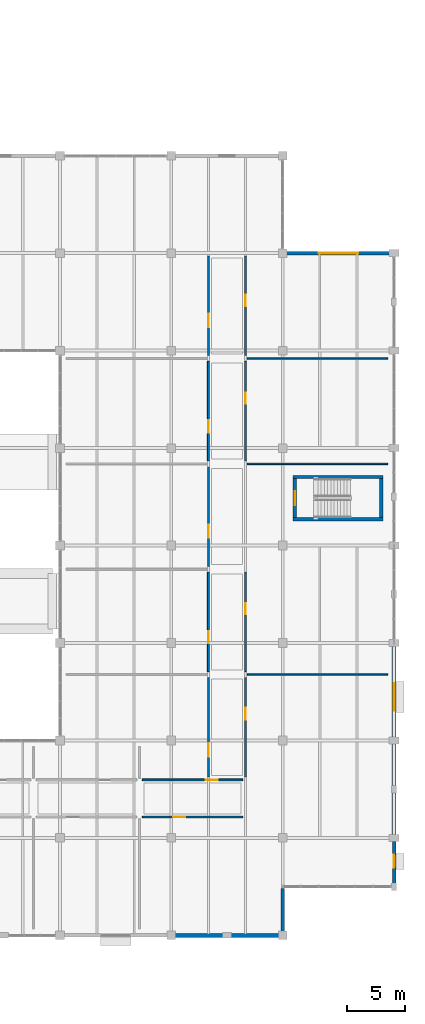
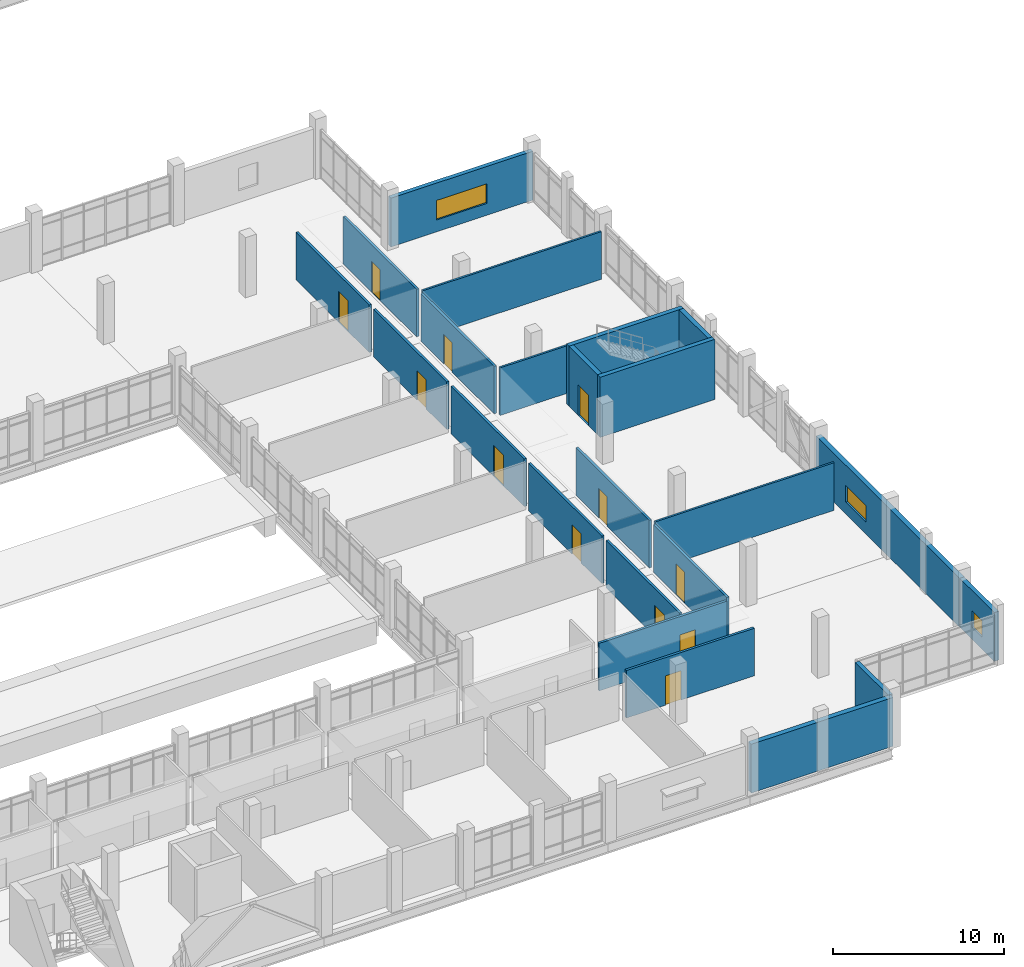
# One storey, part 62 of 86: 23 walls, 12 doors, 3 windows, 15 openings.
"""IFC4 building model written with IfcOpenShell, lengths in metres."""

from ifc_helpers import new_model, si_unit, direction, frame, frame_2d, origin, place, context, subcontext, project, spatial, rectangle, extrude, material, layer, layer_set, type_object, element, fill, save


model = new_model("IFC4")

# Units and contexts
model_context = context("Model", 3, precision=1e-05, world=origin(), true_north=direction((0.0, 1.0)))
body_context = subcontext(model_context, "Body", "Model", "MODEL_VIEW")
ifc_project = project(units=[si_unit("LENGTHUNIT", "METRE"), si_unit("AREAUNIT", "SQUARE_METRE"), si_unit("VOLUMEUNIT", "CUBIC_METRE"), si_unit("PLANEANGLEUNIT", "RADIAN"), si_unit("MASSUNIT", "GRAM", prefix="KILO")], contexts=[model_context])

# Site, building, storey
site_placement = place(None, origin())
site = spatial("IfcSite", under=ifc_project, at=site_placement, CompositionType="ELEMENT")
building_placement = place(site_placement, origin())
building = spatial("IfcBuilding", under=site, at=building_placement, Name="Oolite Switchyard Hospital", CompositionType="ELEMENT")
storey_placement = place(building_placement, frame((0.0, 0.0, 13.5)))
storey = spatial("IfcBuildingStorey", under=building, at=storey_placement, Name="L03", CompositionType="ELEMENT", Elevation=13.5)

# Wall, opening, window
ifc_material_1 = material(Name="Precast oolitic limestone architectural concrete C40/50", Category="masonry")
ifc_layer_1 = layer(ifc_material_1, 0.280029296875)
ifc_layer_set_1 = layer_set([ifc_layer_1], Name="WAL-EXT-280")
wall_type_1 = type_object("IfcWallType", Name="WAL-EXT-280", PredefinedType="SOLIDWALL", material=ifc_layer_set_1)
wall_1_placement = place(storey_placement, frame((201.60009765625, 67.199951171875, 0.0), z_axis=(0.0, 0.0, 1.0), x_axis=(1.0, 0.0, 0.0)))
wall_1 = element("IfcWall", 1, at=wall_1_placement, inside=storey, type_object=wall_type_1, Name="L03 Exterior Spandrel Wall 180", PredefinedType="SOLIDWALL", context=body_context, shape_type="SweptSolid", body=[
    extrude(rectangle(XDim=9.599853515625, YDim=0.280029296875, at=frame_2d((4.7998046875, 0.0))), origin(), (0.0, 0.0, 1.0), 3.489990234375),
])
opening_1_placement = place(wall_1_placement, frame((3.10009765625, 0.0, 0.85009765625)))
opening_1 = element("IfcOpeningElement", 2, at=opening_1_placement, cuts=wall_1, Name="Opening WN-0072", PredefinedType="OPENING", context=body_context, shape_type="SweptSolid", body=[
    extrude(rectangle(XDim=3.39990234375, YDim=1.39990234375, at=frame_2d((1.699951171875, 0.699951171875))), frame((0.0, 0.14990234375, 0.0), z_axis=(0.0, -1.0, 0.0), x_axis=(1.0, 0.0, 0.0)), (0.0, 0.0, 1.0), 0.300048828125),
])
ifc_material_2 = material(Name="Thermally broken aluminum frame with laminated impact glazing", Category="aluminium")
window_type_1 = type_object("IfcWindowType", Name="WIN-IMP-340X140", PartitioningType="SINGLE_PANEL", PredefinedType="WINDOW", material=ifc_material_2)
window_1_placement = place(opening_1_placement, origin())
window_1 = element("IfcWindow", 3, at=window_1_placement, inside=storey, type_object=window_type_1, Name="L03 Hurricane Impact Window WN-0072", OverallHeight=1.39990234375, OverallWidth=3.39990234375, PartitioningType="SINGLE_PANEL", PredefinedType="WINDOW", context=body_context, shape_type="SweptSolid", body=[
    extrude(rectangle(XDim=3.39990234375, YDim=1.39990234375, at=frame_2d((1.699951171875, 0.699951171875))), frame((0.0, 0.030029296875, 0.0), z_axis=(0.0, -1.0, 0.0), x_axis=(1.0, 0.0, 0.0)), (0.0, 0.0, 1.0), 0.06005859375),
])
fill(opening_1, window_1)

# Wall
wall_2_placement = place(storey_placement, frame((201.60009765625, 12.43994140625, 0.0), z_axis=(0.0, 0.0, 1.0), x_axis=(0.0, -1.0, 0.0)))
element("IfcWall", 4, at=wall_2_placement, inside=storey, type_object=wall_type_1, Name="L03 Exterior Spandrel Wall 243", PredefinedType="SOLIDWALL", context=body_context, shape_type="SweptSolid", body=[
    extrude(rectangle(XDim=3.8798828125, YDim=0.280029296875, at=frame_2d((1.93994140625, 0.0))), origin(), (0.0, 0.0, 1.0), 3.489990234375),
])

# Wall, opening, window
ifc_layer_2 = layer(ifc_material_1, 0.300048828125)
ifc_layer_set_2 = layer_set([ifc_layer_2], Name="WAL-EXT-300")
wall_type_2 = type_object("IfcWallType", Name="WAL-EXT-300", PredefinedType="SOLIDWALL", material=ifc_layer_set_2)
wall_3_placement = place(storey_placement, frame((211.199951171875, 16.800048828125, 0.0), z_axis=(0.0, 0.0, 1.0), x_axis=(0.0, -1.0, 0.0)))
wall_3 = element("IfcWall", 5, at=wall_3_placement, inside=storey, type_object=wall_type_2, Name="L03 Exterior Spandrel Wall 244", PredefinedType="SOLIDWALL", context=body_context, shape_type="SweptSolid", body=[
    extrude(rectangle(XDim=4.0400390625, YDim=0.300048828125, at=frame_2d((2.02001953125, 0.0))), origin(), (0.0, 0.0, 1.0), 3.489990234375),
])
opening_2_placement = place(wall_3_placement, frame((1.445068359375, 0.0, 0.85009765625)))
opening_2 = element("IfcOpeningElement", 6, at=opening_2_placement, cuts=wall_3, Name="Opening WN-0145", PredefinedType="OPENING", context=body_context, shape_type="SweptSolid", body=[
    extrude(rectangle(XDim=1.14990234375, YDim=1.199951171875, at=frame_2d((0.574951171875, 0.60009765625))), frame((0.0, 0.16015625, 0.0), z_axis=(0.0, -1.0, 0.0), x_axis=(1.0, 0.0, 0.0)), (0.0, 0.0, 1.0), 0.320068359375),
])
window_type_2 = type_object("IfcWindowType", Name="WIN-IMP-115X120", PartitioningType="SINGLE_PANEL", PredefinedType="WINDOW", material=ifc_material_2)
window_2_placement = place(opening_2_placement, origin())
window_2 = element("IfcWindow", 7, at=window_2_placement, inside=storey, type_object=window_type_2, Name="L03 Hurricane Impact Window WN-0145", OverallHeight=1.199951171875, OverallWidth=1.14990234375, PartitioningType="SINGLE_PANEL", PredefinedType="WINDOW", context=body_context, shape_type="SweptSolid", body=[
    extrude(rectangle(XDim=1.14990234375, YDim=1.199951171875, at=frame_2d((0.574951171875, 0.60009765625))), frame((0.0, 0.030029296875, 0.0), z_axis=(0.0, -1.0, 0.0), x_axis=(1.0, 0.0, 0.0)), (0.0, 0.0, 1.0), 0.06005859375),
])
fill(opening_2, window_2)

ifc_layer_3 = layer(ifc_material_1, 0.320068359375)
ifc_layer_set_3 = layer_set([ifc_layer_3], Name="WAL-EXT-320")
wall_type_3 = type_object("IfcWallType", Name="WAL-EXT-320", PredefinedType="SOLIDWALL", material=ifc_layer_set_3)
wall_4_placement = place(storey_placement, frame((211.199951171875, 33.60009765625, 0.0), z_axis=(0.0, 0.0, 1.0), x_axis=(0.0, -1.0, 0.0)))
wall_4 = element("IfcWall", 8, at=wall_4_placement, inside=storey, type_object=wall_type_3, Name="L03 Exterior Spandrel Wall 245", PredefinedType="SOLIDWALL", context=body_context, shape_type="SweptSolid", body=[
    extrude(rectangle(XDim=16.800048828125, YDim=0.320068359375, at=frame_2d((8.39990234375, 0.0))), origin(), (0.0, 0.0, 1.0), 3.489990234375),
])
opening_3_placement = place(wall_4_placement, frame((3.4560546875, 0.0, 0.85009765625)))
opening_3 = element("IfcOpeningElement", 9, at=opening_3_placement, cuts=wall_4, Name="Opening WN-0146", PredefinedType="OPENING", context=body_context, shape_type="SweptSolid", body=[
    extrude(rectangle(XDim=2.39990234375, YDim=1.199951171875, at=frame_2d((1.199951171875, 0.60009765625))), frame((0.0, 0.169921875, 0.0), z_axis=(0.0, -1.0, 0.0), x_axis=(1.0, 0.0, 0.0)), (0.0, 0.0, 1.0), 0.340087890625),
])
window_type_3 = type_object("IfcWindowType", Name="WIN-IMP-240X120", PartitioningType="SINGLE_PANEL", PredefinedType="WINDOW", material=ifc_material_2)
window_3_placement = place(opening_3_placement, origin())
window_3 = element("IfcWindow", 10, at=window_3_placement, inside=storey, type_object=window_type_3, Name="L03 Hurricane Impact Window WN-0146", OverallHeight=1.199951171875, OverallWidth=2.39990234375, PartitioningType="SINGLE_PANEL", PredefinedType="WINDOW", context=body_context, shape_type="SweptSolid", body=[
    extrude(rectangle(XDim=2.39990234375, YDim=1.199951171875, at=frame_2d((1.199951171875, 0.60009765625))), frame((0.0, 0.030029296875, 0.0), z_axis=(0.0, -1.0, 0.0), x_axis=(1.0, 0.0, 0.0)), (0.0, 0.0, 1.0), 0.06005859375),
])
fill(opening_3, window_3)

# Walls
ifc_layer_4 = layer(ifc_material_1, 0.340087890625)
ifc_layer_set_4 = layer_set([ifc_layer_4], Name="WAL-EXT-340")
wall_type_4 = type_object("IfcWallType", Name="WAL-EXT-340", PredefinedType="SOLIDWALL", material=ifc_layer_set_4)
wall_5_placement = place(storey_placement, frame((201.60009765625, 8.39990234375, 0.0), z_axis=(0.0, 0.0, 1.0), x_axis=(-1.0, 0.0, 0.0)))
element("IfcWall", 11, at=wall_5_placement, inside=storey, type_object=wall_type_4, Name="L03 Exterior Spandrel Wall 176", PredefinedType="SOLIDWALL", context=body_context, shape_type="SweptSolid", body=[
    extrude(rectangle(XDim=9.60009765625, YDim=0.340087890625, at=frame_2d((4.800048828125, 0.0))), origin(), (0.0, 0.0, 1.0), 3.489990234375),
])
ifc_material_3 = material(Name="Moisture-resistant gypsum board on steel studs", Category="steel")
ifc_layer_5 = layer(ifc_material_3, 0.135009765625)
ifc_layer_set_5 = layer_set([ifc_layer_5], Name="WAL-PART-135")
wall_type_5 = type_object("IfcWallType", Name="WAL-PART-135", PredefinedType="PARTITIONING", material=ifc_layer_set_5)
for number, where, z_axis, x_axis, name in (
    (12, (198.550048828125, 30.8798828125, 0.0), (0.0, 0.0, 1.0), (1.0, 0.0, 0.0), "L03 Interior Partition 729"),
    (13, (198.550048828125, 49.0400390625, 0.0), (0.0, 0.0, 1.0), (1.0, 0.0, 0.0), "L03 Interior Partition 735"),
    (14, (198.550048828125, 58.1201171875, 0.0), (0.0, 0.0, 1.0), (1.0, 0.0, 0.0), "L03 Interior Partition 739"),
):
    element("IfcWall", number, at=place(storey_placement, frame(where, z_axis=z_axis, x_axis=x_axis)), inside=storey, type_object=wall_type_5, Name=name, PredefinedType="PARTITIONING", context=body_context, shape_type="SweptSolid", body=[
        extrude(rectangle(XDim=12.099853515625, YDim=0.135009765625, at=frame_2d((6.0498046875, 0.0))), origin(), (0.0, 0.0, 1.0), 3.39990234375),
    ])

# Wall, opening, door
ifc_layer_6 = layer(ifc_material_3, 0.1650390625)
ifc_layer_set_6 = layer_set([ifc_layer_6], Name="WAL-PART-165")
wall_type_6 = type_object("IfcWallType", Name="WAL-PART-165", PredefinedType="PARTITIONING", material=ifc_layer_set_6)
wall_6_placement = place(storey_placement, frame((189.508056640625, 18.60009765625, 0.0), z_axis=(0.0, 0.0, 1.0), x_axis=(1.0, 0.0, 0.0)))
wall_6 = element("IfcWall", 15, at=wall_6_placement, inside=storey, type_object=wall_type_6, Name="L03 Interior Partition 720", PredefinedType="PARTITIONING", context=body_context, shape_type="SweptSolid", body=[
    extrude(rectangle(XDim=8.642822265625, YDim=0.1650390625, at=frame_2d((4.3212890625, 0.0))), origin(), (0.0, 0.0, 1.0), 3.39990234375),
])
opening_4_placement = place(wall_6_placement, frame((2.64990234375, 0.0, 0.0)))
opening_4 = element("IfcOpeningElement", 16, at=opening_4_placement, cuts=wall_6, Name="Opening D-0401", PredefinedType="OPENING", context=body_context, shape_type="SweptSolid", body=[
    extrude(rectangle(XDim=1.050048828125, YDim=2.10009765625, at=frame_2d((0.52490234375, 1.050048828125))), frame((0.0, 0.092529296875, 0.0), z_axis=(0.0, -1.0, 0.0), x_axis=(1.0, 0.0, 0.0)), (0.0, 0.0, 1.0), 0.18505859375),
])
ifc_material_4 = material(Name="Solid-core antimicrobial hardwood leaf in steel frame", Category="steel")
door_type_1 = type_object("IfcDoorType", Name="DR-EXAM-105X210", OperationType="NOTDEFINED", PredefinedType="DOOR", material=ifc_material_4)
door_1_placement = place(opening_4_placement, origin())
door_1 = element("IfcDoor", 17, at=door_1_placement, inside=storey, type_object=door_type_1, Name="L03 Interior Door D-0401", OperationType="SINGLE_SWING_LEFT", OverallHeight=2.10009765625, OverallWidth=1.050048828125, PredefinedType="DOOR", context=body_context, shape_type="SweptSolid", body=[
    extrude(rectangle(XDim=1.050048828125, YDim=2.10009765625, at=frame_2d((0.52490234375, 1.050048828125))), frame((0.0, 0.02490234375, 0.0), z_axis=(0.0, -1.0, 0.0), x_axis=(1.0, 0.0, 0.0)), (0.0, 0.0, 1.0), 0.050048828125),
])
fill(opening_4, door_1)

wall_7_placement = place(storey_placement, frame((189.508056640625, 21.800048828125, 0.0), z_axis=(0.0, 0.0, 1.0), x_axis=(1.0, 0.0, 0.0)))
wall_7 = element("IfcWall", 18, at=wall_7_placement, inside=storey, type_object=wall_type_6, Name="L03 Interior Partition 722", PredefinedType="PARTITIONING", context=body_context, shape_type="SweptSolid", body=[
    extrude(rectangle(XDim=8.642822265625, YDim=0.1650390625, at=frame_2d((4.3212890625, 0.0))), origin(), (0.0, 0.0, 1.0), 3.39990234375),
])
opening_5_placement = place(wall_7_placement, frame((5.449951171875, 0.0, 0.0)))
opening_5 = element("IfcOpeningElement", 19, at=opening_5_placement, cuts=wall_7, Name="Opening D-0402", PredefinedType="OPENING", context=body_context, shape_type="SweptSolid", body=[
    extrude(rectangle(XDim=1.050048828125, YDim=2.10009765625, at=frame_2d((0.52490234375, 1.050048828125))), frame((0.0, 0.092529296875, 0.0), z_axis=(0.0, -1.0, 0.0), x_axis=(1.0, 0.0, 0.0)), (0.0, 0.0, 1.0), 0.18505859375),
])
door_2_placement = place(opening_5_placement, origin())
door_2 = element("IfcDoor", 20, at=door_2_placement, inside=storey, type_object=door_type_1, Name="L03 Interior Door D-0402", OperationType="SINGLE_SWING_RIGHT", OverallHeight=2.10009765625, OverallWidth=1.050048828125, PredefinedType="DOOR", context=body_context, shape_type="SweptSolid", body=[
    extrude(rectangle(XDim=1.050048828125, YDim=2.10009765625, at=frame_2d((0.52490234375, 1.050048828125))), frame((0.0, 0.02490234375, 0.0), z_axis=(0.0, -1.0, 0.0), x_axis=(1.0, 0.0, 0.0)), (0.0, 0.0, 1.0), 0.050048828125),
])
fill(opening_5, door_2)

wall_8_placement = place(storey_placement, frame((195.199951171875, 22.050048828125, 0.0), z_axis=(0.0, 0.0, 1.0), x_axis=(0.0, 1.0, 0.0)))
wall_8 = element("IfcWall", 21, at=wall_8_placement, inside=storey, type_object=wall_type_6, Name="L03 Interior Partition 724", PredefinedType="PARTITIONING", context=body_context, shape_type="SweptSolid", body=[
    extrude(rectangle(XDim=8.579833984375, YDim=0.1650390625, at=frame_2d((4.2900390625, 0.0))), origin(), (0.0, 0.0, 1.0), 3.39990234375),
])
opening_6_placement = place(wall_8_placement, frame((1.75, 0.0, 0.0)))
opening_6 = element("IfcOpeningElement", 22, at=opening_6_placement, cuts=wall_8, Name="Opening D-0403", PredefinedType="OPENING", context=body_context, shape_type="SweptSolid", body=[
    extrude(rectangle(XDim=1.14990234375, YDim=2.199951171875, at=frame_2d((0.574951171875, 1.10009765625))), frame((0.0, 0.092529296875, 0.0), z_axis=(0.0, -1.0, 0.0), x_axis=(1.0, 0.0, 0.0)), (0.0, 0.0, 1.0), 0.18505859375),
])
door_type_2 = type_object("IfcDoorType", Name="DR-CLIN-115X220", OperationType="NOTDEFINED", PredefinedType="DOOR", material=ifc_material_4)
door_3_placement = place(opening_6_placement, origin())
door_3 = element("IfcDoor", 23, at=door_3_placement, inside=storey, type_object=door_type_2, Name="L03 Interior Door D-0403", OperationType="SINGLE_SWING_LEFT", OverallHeight=2.199951171875, OverallWidth=1.14990234375, PredefinedType="DOOR", context=body_context, shape_type="SweptSolid", body=[
    extrude(rectangle(XDim=1.14990234375, YDim=2.199951171875, at=frame_2d((0.574951171875, 1.10009765625))), frame((0.0, 0.02490234375, 0.0), z_axis=(0.0, -1.0, 0.0), x_axis=(1.0, 0.0, 0.0)), (0.0, 0.0, 1.0), 0.050048828125),
])
fill(opening_6, door_3)

wall_9_placement = place(storey_placement, frame((198.39990234375, 22.050048828125, 0.0), z_axis=(0.0, 0.0, 1.0), x_axis=(0.0, 1.0, 0.0)))
wall_9 = element("IfcWall", 24, at=wall_9_placement, inside=storey, type_object=wall_type_6, Name="L03 Interior Partition 725", PredefinedType="PARTITIONING", context=body_context, shape_type="SweptSolid", body=[
    extrude(rectangle(XDim=8.579833984375, YDim=0.1650390625, at=frame_2d((4.2900390625, 0.0))), origin(), (0.0, 0.0, 1.0), 3.39990234375),
])
opening_7_placement = place(wall_9_placement, frame((4.949951171875, 0.0, 0.0)))
opening_7 = element("IfcOpeningElement", 25, at=opening_7_placement, cuts=wall_9, Name="Opening D-0404", PredefinedType="OPENING", context=body_context, shape_type="SweptSolid", body=[
    extrude(rectangle(XDim=1.0, YDim=2.199951171875, at=frame_2d((0.5, 1.10009765625))), frame((0.0, 0.092529296875, 0.0), z_axis=(0.0, -1.0, 0.0), x_axis=(1.0, 0.0, 0.0)), (0.0, 0.0, 1.0), 0.18505859375),
])
door_type_3 = type_object("IfcDoorType", Name="DR-OFF-100X220", OperationType="NOTDEFINED", PredefinedType="DOOR", material=ifc_material_4)
door_4_placement = place(opening_7_placement, origin())
door_4 = element("IfcDoor", 26, at=door_4_placement, inside=storey, type_object=door_type_3, Name="L03 Interior Door D-0404", OperationType="SINGLE_SWING_RIGHT", OverallHeight=2.199951171875, OverallWidth=1.0, PredefinedType="DOOR", context=body_context, shape_type="SweptSolid", body=[
    extrude(rectangle(XDim=1.0, YDim=2.199951171875, at=frame_2d((0.5, 1.10009765625))), frame((0.0, 0.02490234375, 0.0), z_axis=(0.0, -1.0, 0.0), x_axis=(1.0, 0.0, 0.0)), (0.0, 0.0, 1.0), 0.050048828125),
])
fill(opening_7, door_4)

wall_10_placement = place(storey_placement, frame((195.199951171875, 31.1298828125, 0.0), z_axis=(0.0, 0.0, 1.0), x_axis=(0.0, 1.0, 0.0)))
wall_10 = element("IfcWall", 27, at=wall_10_placement, inside=storey, type_object=wall_type_6, Name="L03 Interior Partition 726", PredefinedType="PARTITIONING", context=body_context, shape_type="SweptSolid", body=[
    extrude(rectangle(XDim=8.580078125, YDim=0.1650390625, at=frame_2d((4.2900390625, 0.0))), origin(), (0.0, 0.0, 1.0), 3.39990234375),
])
opening_8_placement = place(wall_10_placement, frame((2.449951171875, 0.0, 0.0)))
opening_8 = element("IfcOpeningElement", 28, at=opening_8_placement, cuts=wall_10, Name="Opening D-0405", PredefinedType="OPENING", context=body_context, shape_type="SweptSolid", body=[
    extrude(rectangle(XDim=1.050048828125, YDim=2.10009765625, at=frame_2d((0.52490234375, 1.050048828125))), frame((0.0, 0.092529296875, 0.0), z_axis=(0.0, -1.0, 0.0), x_axis=(1.0, 0.0, 0.0)), (0.0, 0.0, 1.0), 0.18505859375),
])
door_5_placement = place(opening_8_placement, origin())
door_5 = element("IfcDoor", 29, at=door_5_placement, inside=storey, type_object=door_type_1, Name="L03 Interior Door D-0405", OperationType="SINGLE_SWING_RIGHT", OverallHeight=2.10009765625, OverallWidth=1.050048828125, PredefinedType="DOOR", context=body_context, shape_type="SweptSolid", body=[
    extrude(rectangle(XDim=1.050048828125, YDim=2.10009765625, at=frame_2d((0.52490234375, 1.050048828125))), frame((0.0, 0.02490234375, 0.0), z_axis=(0.0, -1.0, 0.0), x_axis=(1.0, 0.0, 0.0)), (0.0, 0.0, 1.0), 0.050048828125),
])
fill(opening_8, door_5)

wall_11_placement = place(storey_placement, frame((198.39990234375, 31.1298828125, 0.0), z_axis=(0.0, 0.0, 1.0), x_axis=(0.0, 1.0, 0.0)))
wall_11 = element("IfcWall", 30, at=wall_11_placement, inside=storey, type_object=wall_type_6, Name="L03 Interior Partition 728", PredefinedType="PARTITIONING", context=body_context, shape_type="SweptSolid", body=[
    extrude(rectangle(XDim=8.580078125, YDim=0.1650390625, at=frame_2d((4.2900390625, 0.0))), origin(), (0.0, 0.0, 1.0), 3.39990234375),
])
opening_9_placement = place(wall_11_placement, frame((4.949951171875, 0.0, 0.0)))
opening_9 = element("IfcOpeningElement", 31, at=opening_9_placement, cuts=wall_11, Name="Opening D-0406", PredefinedType="OPENING", context=body_context, shape_type="SweptSolid", body=[
    extrude(rectangle(XDim=0.949951171875, YDim=2.10009765625, at=frame_2d((0.47509765625, 1.050048828125))), frame((0.0, 0.092529296875, 0.0), z_axis=(0.0, -1.0, 0.0), x_axis=(1.0, 0.0, 0.0)), (0.0, 0.0, 1.0), 0.18505859375),
])
door_type_4 = type_object("IfcDoorType", Name="DR-BATH-095X210", OperationType="NOTDEFINED", PredefinedType="DOOR", material=ifc_material_4)
door_6_placement = place(opening_9_placement, origin())
door_6 = element("IfcDoor", 32, at=door_6_placement, inside=storey, type_object=door_type_4, Name="L03 Interior Door D-0406", OperationType="SINGLE_SWING_LEFT", OverallHeight=2.10009765625, OverallWidth=0.949951171875, PredefinedType="DOOR", context=body_context, shape_type="SweptSolid", body=[
    extrude(rectangle(XDim=0.949951171875, YDim=2.10009765625, at=frame_2d((0.47509765625, 1.050048828125))), frame((0.0, 0.02490234375, 0.0), z_axis=(0.0, -1.0, 0.0), x_axis=(1.0, 0.0, 0.0)), (0.0, 0.0, 1.0), 0.050048828125),
])
fill(opening_9, door_6)

wall_12_placement = place(storey_placement, frame((195.199951171875, 40.2099609375, 0.0), z_axis=(0.0, 0.0, 1.0), x_axis=(0.0, 1.0, 0.0)))
wall_12 = element("IfcWall", 33, at=wall_12_placement, inside=storey, type_object=wall_type_6, Name="L03 Interior Partition 730", PredefinedType="PARTITIONING", context=body_context, shape_type="SweptSolid", body=[
    extrude(rectangle(XDim=8.580078125, YDim=0.1650390625, at=frame_2d((4.2900390625, 0.0))), origin(), (0.0, 0.0, 1.0), 3.39990234375),
])
opening_10_placement = place(wall_12_placement, frame((2.449951171875, 0.0, 0.0)))
opening_10 = element("IfcOpeningElement", 34, at=opening_10_placement, cuts=wall_12, Name="Opening D-0407", PredefinedType="OPENING", context=body_context, shape_type="SweptSolid", body=[
    extrude(rectangle(XDim=1.14990234375, YDim=2.199951171875, at=frame_2d((0.574951171875, 1.10009765625))), frame((0.0, 0.092529296875, 0.0), z_axis=(0.0, -1.0, 0.0), x_axis=(1.0, 0.0, 0.0)), (0.0, 0.0, 1.0), 0.18505859375),
])
door_7_placement = place(opening_10_placement, origin())
door_7 = element("IfcDoor", 35, at=door_7_placement, inside=storey, type_object=door_type_2, Name="L03 Interior Door D-0407", OperationType="SINGLE_SWING_LEFT", OverallHeight=2.199951171875, OverallWidth=1.14990234375, PredefinedType="DOOR", context=body_context, shape_type="SweptSolid", body=[
    extrude(rectangle(XDim=1.14990234375, YDim=2.199951171875, at=frame_2d((0.574951171875, 1.10009765625))), frame((0.0, 0.02490234375, 0.0), z_axis=(0.0, -1.0, 0.0), x_axis=(1.0, 0.0, 0.0)), (0.0, 0.0, 1.0), 0.050048828125),
])
fill(opening_10, door_7)

wall_13_placement = place(storey_placement, frame((195.199951171875, 49.2900390625, 0.0), z_axis=(0.0, 0.0, 1.0), x_axis=(0.0, 1.0, 0.0)))
wall_13 = element("IfcWall", 36, at=wall_13_placement, inside=storey, type_object=wall_type_6, Name="L03 Interior Partition 732", PredefinedType="PARTITIONING", context=body_context, shape_type="SweptSolid", body=[
    extrude(rectangle(XDim=8.580078125, YDim=0.1650390625, at=frame_2d((4.2900390625, 0.0))), origin(), (0.0, 0.0, 1.0), 3.39990234375),
])
opening_11_placement = place(wall_13_placement, frame((2.449951171875, 0.0, 0.0)))
opening_11 = element("IfcOpeningElement", 37, at=opening_11_placement, cuts=wall_13, Name="Opening D-0408", PredefinedType="OPENING", context=body_context, shape_type="SweptSolid", body=[
    extrude(rectangle(XDim=1.050048828125, YDim=2.10009765625, at=frame_2d((0.52490234375, 1.050048828125))), frame((0.0, 0.092529296875, 0.0), z_axis=(0.0, -1.0, 0.0), x_axis=(1.0, 0.0, 0.0)), (0.0, 0.0, 1.0), 0.18505859375),
])
door_8_placement = place(opening_11_placement, origin())
door_8 = element("IfcDoor", 38, at=door_8_placement, inside=storey, type_object=door_type_1, Name="L03 Interior Door D-0408", OperationType="SINGLE_SWING_RIGHT", OverallHeight=2.10009765625, OverallWidth=1.050048828125, PredefinedType="DOOR", context=body_context, shape_type="SweptSolid", body=[
    extrude(rectangle(XDim=1.050048828125, YDim=2.10009765625, at=frame_2d((0.52490234375, 1.050048828125))), frame((0.0, 0.02490234375, 0.0), z_axis=(0.0, -1.0, 0.0), x_axis=(1.0, 0.0, 0.0)), (0.0, 0.0, 1.0), 0.050048828125),
])
fill(opening_11, door_8)

wall_14_placement = place(storey_placement, frame((198.39990234375, 49.2900390625, 0.0), z_axis=(0.0, 0.0, 1.0), x_axis=(0.0, 1.0, 0.0)))
wall_14 = element("IfcWall", 39, at=wall_14_placement, inside=storey, type_object=wall_type_6, Name="L03 Interior Partition 734", PredefinedType="PARTITIONING", context=body_context, shape_type="SweptSolid", body=[
    extrude(rectangle(XDim=8.580078125, YDim=0.1650390625, at=frame_2d((4.2900390625, 0.0))), origin(), (0.0, 0.0, 1.0), 3.39990234375),
])
opening_12_placement = place(wall_14_placement, frame((4.949951171875, 0.0, 0.0)))
opening_12 = element("IfcOpeningElement", 40, at=opening_12_placement, cuts=wall_14, Name="Opening D-0409", PredefinedType="OPENING", context=body_context, shape_type="SweptSolid", body=[
    extrude(rectangle(XDim=0.949951171875, YDim=2.10009765625, at=frame_2d((0.47509765625, 1.050048828125))), frame((0.0, 0.092529296875, 0.0), z_axis=(0.0, -1.0, 0.0), x_axis=(1.0, 0.0, 0.0)), (0.0, 0.0, 1.0), 0.18505859375),
])
door_9_placement = place(opening_12_placement, origin())
door_9 = element("IfcDoor", 41, at=door_9_placement, inside=storey, type_object=door_type_4, Name="L03 Interior Door D-0409", OperationType="SINGLE_SWING_LEFT", OverallHeight=2.10009765625, OverallWidth=0.949951171875, PredefinedType="DOOR", context=body_context, shape_type="SweptSolid", body=[
    extrude(rectangle(XDim=0.949951171875, YDim=2.10009765625, at=frame_2d((0.47509765625, 1.050048828125))), frame((0.0, 0.02490234375, 0.0), z_axis=(0.0, -1.0, 0.0), x_axis=(1.0, 0.0, 0.0)), (0.0, 0.0, 1.0), 0.050048828125),
])
fill(opening_12, door_9)

wall_15_placement = place(storey_placement, frame((195.199951171875, 58.3701171875, 0.0), z_axis=(0.0, 0.0, 1.0), x_axis=(0.0, 1.0, 0.0)))
wall_15 = element("IfcWall", 42, at=wall_15_placement, inside=storey, type_object=wall_type_6, Name="L03 Interior Partition 736", PredefinedType="PARTITIONING", context=body_context, shape_type="SweptSolid", body=[
    extrude(rectangle(XDim=8.579833984375, YDim=0.1650390625, at=frame_2d((4.2900390625, 0.0))), origin(), (0.0, 0.0, 1.0), 3.39990234375),
])
opening_13_placement = place(wall_15_placement, frame((2.449951171875, 0.0, 0.0)))
opening_13 = element("IfcOpeningElement", 43, at=opening_13_placement, cuts=wall_15, Name="Opening D-0410", PredefinedType="OPENING", context=body_context, shape_type="SweptSolid", body=[
    extrude(rectangle(XDim=1.14990234375, YDim=2.199951171875, at=frame_2d((0.574951171875, 1.10009765625))), frame((0.0, 0.092529296875, 0.0), z_axis=(0.0, -1.0, 0.0), x_axis=(1.0, 0.0, 0.0)), (0.0, 0.0, 1.0), 0.18505859375),
])
door_10_placement = place(opening_13_placement, origin())
door_10 = element("IfcDoor", 44, at=door_10_placement, inside=storey, type_object=door_type_2, Name="L03 Interior Door D-0410", OperationType="SINGLE_SWING_LEFT", OverallHeight=2.199951171875, OverallWidth=1.14990234375, PredefinedType="DOOR", context=body_context, shape_type="SweptSolid", body=[
    extrude(rectangle(XDim=1.14990234375, YDim=2.199951171875, at=frame_2d((0.574951171875, 1.10009765625))), frame((0.0, 0.02490234375, 0.0), z_axis=(0.0, -1.0, 0.0), x_axis=(1.0, 0.0, 0.0)), (0.0, 0.0, 1.0), 0.050048828125),
])
fill(opening_13, door_10)

wall_16_placement = place(storey_placement, frame((198.39990234375, 58.3701171875, 0.0), z_axis=(0.0, 0.0, 1.0), x_axis=(0.0, 1.0, 0.0)))
wall_16 = element("IfcWall", 45, at=wall_16_placement, inside=storey, type_object=wall_type_6, Name="L03 Interior Partition 738", PredefinedType="PARTITIONING", context=body_context, shape_type="SweptSolid", body=[
    extrude(rectangle(XDim=8.579833984375, YDim=0.1650390625, at=frame_2d((4.2900390625, 0.0))), origin(), (0.0, 0.0, 1.0), 3.39990234375),
])
opening_14_placement = place(wall_16_placement, frame((4.25, 0.0, 0.0)))
opening_14 = element("IfcOpeningElement", 46, at=opening_14_placement, cuts=wall_16, Name="Opening D-0411", PredefinedType="OPENING", context=body_context, shape_type="SweptSolid", body=[
    extrude(rectangle(XDim=1.0, YDim=2.199951171875, at=frame_2d((0.5, 1.10009765625))), frame((0.0, 0.092529296875, 0.0), z_axis=(0.0, -1.0, 0.0), x_axis=(1.0, 0.0, 0.0)), (0.0, 0.0, 1.0), 0.18505859375),
])
door_11_placement = place(opening_14_placement, origin())
door_11 = element("IfcDoor", 47, at=door_11_placement, inside=storey, type_object=door_type_3, Name="L03 Interior Door D-0411", OperationType="SINGLE_SWING_RIGHT", OverallHeight=2.199951171875, OverallWidth=1.0, PredefinedType="DOOR", context=body_context, shape_type="SweptSolid", body=[
    extrude(rectangle(XDim=1.0, YDim=2.199951171875, at=frame_2d((0.5, 1.10009765625))), frame((0.0, 0.02490234375, 0.0), z_axis=(0.0, -1.0, 0.0), x_axis=(1.0, 0.0, 0.0)), (0.0, 0.0, 1.0), 0.050048828125),
])
fill(opening_14, door_11)

# Walls
ifc_material_5 = material(Name="Concrete C50/60", Category="concrete")
ifc_layer_7 = layer(ifc_material_5, 0.300048828125)
ifc_layer_set_7 = layer_set([ifc_layer_7], Name="WAL-SHR-300")
wall_type_7 = type_object("IfcWallType", Name="WAL-SHR-300", PredefinedType="SHEAR", material=ifc_layer_set_7)
wall_17_placement = place(storey_placement, frame((202.5, 44.25, 0.0), z_axis=(0.0, 0.0, 1.0), x_axis=(1.0, 0.0, 0.0)))
element("IfcWall", 48, at=wall_17_placement, inside=storey, type_object=wall_type_7, Name="L03 Core Shear Wall ST-06", PredefinedType="SHEAR", context=body_context, shape_type="SweptSolid", body=[
    extrude(rectangle(XDim=7.75, YDim=0.300048828125, at=frame_2d((3.875, 0.0))), origin(), (0.0, 0.0, 1.0), 4.300048828125),
])
wall_18_placement = place(storey_placement, frame((210.10009765625, 44.39990234375, 0.0), z_axis=(0.0, 0.0, 1.0), x_axis=(0.0, 1.0, 0.0)))
element("IfcWall", 49, at=wall_18_placement, inside=storey, type_object=wall_type_7, Name="L03 Core Shear Wall ST-06", PredefinedType="SHEAR", context=body_context, shape_type="SweptSolid", body=[
    extrude(rectangle(XDim=3.360107421875, YDim=0.300048828125, at=frame_2d((1.68017578125, 0.0))), origin(), (0.0, 0.0, 1.0), 4.300048828125),
])
wall_19_placement = place(storey_placement, frame((210.25, 47.909912109375, 0.0), z_axis=(0.0, 0.0, 1.0), x_axis=(-1.0, 0.0, 0.0)))
element("IfcWall", 50, at=wall_19_placement, inside=storey, type_object=wall_type_7, Name="L03 Core Shear Wall ST-06", PredefinedType="SHEAR", context=body_context, shape_type="SweptSolid", body=[
    extrude(rectangle(XDim=7.75, YDim=0.300048828125, at=frame_2d((3.875, 0.0))), origin(), (0.0, 0.0, 1.0), 4.300048828125),
])

# Wall, opening, door
wall_20_placement = place(storey_placement, frame((202.64990234375, 47.760009765625, 0.0), z_axis=(0.0, 0.0, 1.0), x_axis=(0.0, -1.0, 0.0)))
wall_20 = element("IfcWall", 51, at=wall_20_placement, inside=storey, type_object=wall_type_7, Name="L03 Core Shear Wall ST-06", PredefinedType="SHEAR", context=body_context, shape_type="SweptSolid", body=[
    extrude(rectangle(XDim=3.360107421875, YDim=0.300048828125, at=frame_2d((1.68017578125, 0.0))), origin(), (0.0, 0.0, 1.0), 4.300048828125),
])
opening_15_placement = place(wall_20_placement, frame((1.080078125, 0.0, 0.0)))
opening_15 = element("IfcOpeningElement", 52, at=opening_15_placement, cuts=wall_20, Name="Opening SD-041", PredefinedType="OPENING", context=body_context, shape_type="SweptSolid", body=[
    extrude(rectangle(XDim=1.199951171875, YDim=2.199951171875, at=frame_2d((0.60009765625, 1.10009765625))), frame((0.0, 0.16015625, 0.0), z_axis=(0.0, -1.0, 0.0), x_axis=(1.0, 0.0, 0.0)), (0.0, 0.0, 1.0), 0.320068359375),
])
ifc_material_6 = material(Name="Hollow metal fire-rated steel door assembly", Category="steel")
door_type_5 = type_object("IfcDoorType", Name="DR-STR-120X220", OperationType="NOTDEFINED", PredefinedType="DOOR", material=ifc_material_6)
door_12_placement = place(opening_15_placement, origin())
door_12 = element("IfcDoor", 53, at=door_12_placement, inside=storey, type_object=door_type_5, Name="L03 ST-06 Exit Stair Door SD-041", OperationType="SINGLE_SWING_LEFT", OverallHeight=2.199951171875, OverallWidth=1.199951171875, PredefinedType="DOOR", context=body_context, shape_type="SweptSolid", body=[
    extrude(rectangle(XDim=1.199951171875, YDim=2.199951171875, at=frame_2d((0.60009765625, 1.10009765625))), frame((0.0, 0.02490234375, 0.0), z_axis=(0.0, -1.0, 0.0), x_axis=(1.0, 0.0, 0.0)), (0.0, 0.0, 1.0), 0.050048828125),
])
fill(opening_15, door_12)

save(model, "model.ifc")
